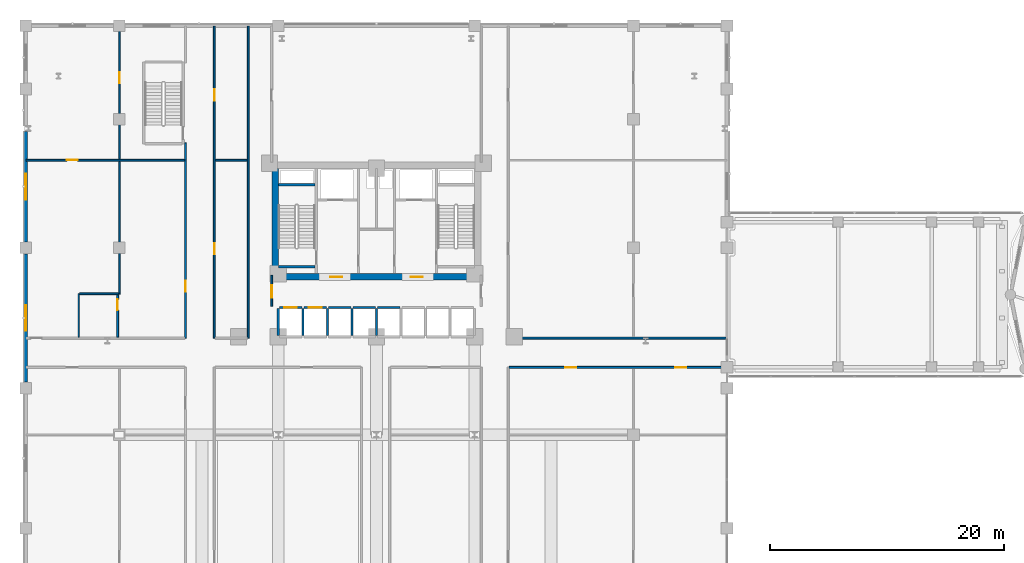
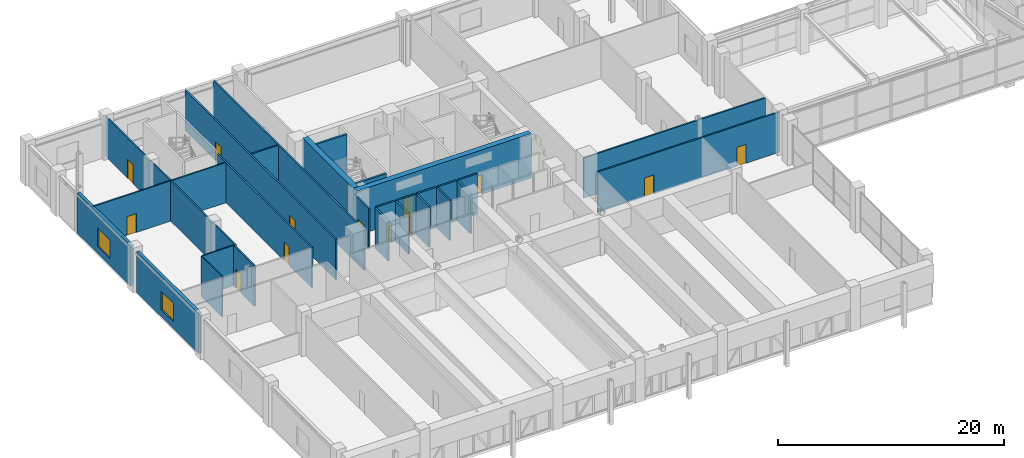
# One storey, part 31 of 44: 28 walls, 13 doors, 2 windows, 15 openings.
"""IFC4 building model written with IfcOpenShell, lengths in metres."""

from ifc_helpers import new_model, si_unit, derived_unit, direction, frame, frame_2d, origin, place, context, subcontext, project, spatial, rectangle, extrude, material, layer, layer_set, type_object, element, fill, save


model = new_model("IFC4")

# Units and contexts
model_context = context("Model", 3, precision=1e-05, world=origin(), true_north=direction((0.0, 1.0)))
body_context = subcontext(model_context, "Body", "Model", "MODEL_VIEW")
ifc_project = project(units=[si_unit("LENGTHUNIT", "METRE"), si_unit("AREAUNIT", "SQUARE_METRE"), si_unit("VOLUMEUNIT", "CUBIC_METRE"), si_unit("PLANEANGLEUNIT", "RADIAN"), si_unit("MASSUNIT", "GRAM", prefix="KILO"), derived_unit("THERMALTRANSMITTANCEUNIT", [(si_unit("POWERUNIT", "WATT"), 1), (si_unit("LENGTHUNIT", "METRE"), -2), (si_unit("THERMODYNAMICTEMPERATUREUNIT", "KELVIN"), -1)])], contexts=[model_context])

# Site, building, storey
site_placement = place(None, origin())
site = spatial("IfcSite", under=ifc_project, at=site_placement, CompositionType="ELEMENT")
building_placement = place(site_placement, origin())
building = spatial("IfcBuilding", under=site, at=building_placement, Name="Korsvarv Bourse and Concert Hall", CompositionType="ELEMENT")
storey_placement = place(building_placement, frame((0.0, 0.0, 9.60009765625)))
storey = spatial("IfcBuildingStorey", under=building, at=storey_placement, Name="L02", CompositionType="ELEMENT", Elevation=9.60009765625)

# Walls
ifc_material_1 = material(Name="Concrete C50/60", Category="concrete")
ifc_layer_1 = layer(ifc_material_1, 0.3798828125)
ifc_layer_set_1 = layer_set([ifc_layer_1], Name="Concrete C50/60")
wall_type_1 = type_object("IfcWallType", Name="WL-CORE-380", PredefinedType="SHEAR", material=ifc_layer_set_1)
for number, where, z_axis, x_axis, name in (
    (1, (27.610107421875, 45.39990234375, 0.0), (0.0, 0.0, 1.0), (1.0, 0.0, 0.0), "L02 stair shaft structural wall W-L02-ST1-N"),
    (2, (27.610107421875, 38.39990234375, 0.0), (0.0, 0.0, 1.0), (1.0, 0.0, 0.0), "L02 stair shaft structural wall W-L02-ST1-S"),
):
    element("IfcWall", number, at=place(storey_placement, frame(where, z_axis=z_axis, x_axis=x_axis)), inside=storey, type_object=wall_type_1, Name=name, PredefinedType="SHEAR", context=body_context, shape_type="SweptSolid", body=[
        extrude(rectangle(XDim=3.139892578125, YDim=0.199951171875, at=frame_2d((1.56982421875, 0.0))), origin(), (0.0, 0.0, 1.0), 4.7998046875),
    ])

# Wall, openings, doors
ifc_material_2 = material(Name="Concrete C60/75", Category="concrete")
ifc_layer_2 = layer(ifc_material_2, 0.550048828125)
ifc_layer_set_2 = layer_set([ifc_layer_2], Name="Concrete C60/75")
wall_type_2 = type_object("IfcWallType", Name="WL-CORE-550", PredefinedType="SHEAR", material=ifc_layer_set_2)
wall_1_placement = place(storey_placement, frame((27.050048828125, 37.52490234375, 0.0), z_axis=(0.0, 0.0, 1.0), x_axis=(1.0, 0.0, 0.0)))
wall_1 = element("IfcWall", 3, at=wall_1_placement, inside=storey, type_object=wall_type_2, Name="L02 South Core Shear Wall", PredefinedType="SHEAR", context=body_context, shape_type="SweptSolid", body=[
    extrude(rectangle(XDim=17.89990234375, YDim=0.550048828125, at=frame_2d((8.949951171875, 0.0))), origin(), (0.0, 0.0, 1.0), 4.7998046875),
])
opening_1_placement = place(wall_1_placement, frame((4.97509765625, 0.0, 0.0)))
opening_1 = element("IfcOpeningElement", 4, at=opening_1_placement, cuts=wall_1, Name="Opening D-01", PredefinedType="OPENING", context=body_context, shape_type="SweptSolid", body=[
    extrude(rectangle(XDim=1.050048828125, YDim=2.10009765625, at=frame_2d((0.52490234375, 1.050048828125))), frame((0.0, 0.28515625, 0.0), z_axis=(0.0, -1.0, 0.0), x_axis=(1.0, 0.0, 0.0)), (0.0, 0.0, 1.0), 0.570068359375),
])
opening_2_placement = place(wall_1_placement, frame((11.875, 0.0, 0.0)))
opening_2 = element("IfcOpeningElement", 5, at=opening_2_placement, cuts=wall_1, Name="Opening D-01", PredefinedType="OPENING", context=body_context, shape_type="SweptSolid", body=[
    extrude(rectangle(XDim=1.050048828125, YDim=2.10009765625, at=frame_2d((0.52490234375, 1.050048828125))), frame((0.0, 0.28515625, 0.0), z_axis=(0.0, -1.0, 0.0), x_axis=(1.0, 0.0, 0.0)), (0.0, 0.0, 1.0), 0.570068359375),
])
ifc_material_3 = material(Name="Steel S355 fire door", Category="steel")
door_type_1 = type_object("IfcDoorType", Name="DR-FD60", OperationType="NOTDEFINED", PredefinedType="DOOR", material=ifc_material_3)
door_1_placement = place(opening_1_placement, frame((1.050048828125, 0.0, 0.0), z_axis=(0.0, 0.0, 1.0), x_axis=(-1.0, 0.0, 0.0)))
door_1 = element("IfcDoor", 6, at=door_1_placement, inside=storey, type_object=door_type_1, Name="L02 firefighting lobby fire door DR-L02-FFLW", OperationType="SINGLE_SWING_LEFT", OverallHeight=2.10009765625, OverallWidth=1.050048828125, PredefinedType="DOOR", context=body_context, shape_type="SweptSolid", body=[
    extrude(rectangle(XDim=1.050048828125, YDim=2.10009765625, at=frame_2d((0.52490234375, 1.050048828125))), frame((0.0, 0.02490234375, 0.0), z_axis=(0.0, -1.0, 0.0), x_axis=(1.0, 0.0, 0.0)), (0.0, 0.0, 1.0), 0.050048828125),
])
fill(opening_1, door_1)
door_2_placement = place(opening_2_placement, frame((1.050048828125, 0.0, 0.0), z_axis=(0.0, 0.0, 1.0), x_axis=(-1.0, 0.0, 0.0)))
door_2 = element("IfcDoor", 7, at=door_2_placement, inside=storey, type_object=door_type_1, Name="L02 firefighting lobby fire door DR-L02-FFLE", OperationType="SINGLE_SWING_RIGHT", OverallHeight=2.10009765625, OverallWidth=1.050048828125, PredefinedType="DOOR", context=body_context, shape_type="SweptSolid", body=[
    extrude(rectangle(XDim=1.050048828125, YDim=2.10009765625, at=frame_2d((0.52490234375, 1.050048828125))), frame((0.0, 0.02490234375, 0.0), z_axis=(0.0, -1.0, 0.0), x_axis=(1.0, 0.0, 0.0)), (0.0, 0.0, 1.0), 0.050048828125),
])
fill(opening_2, door_2)

# Wall
wall_2_placement = place(storey_placement, frame((27.324951171875, 37.800048828125, 0.0), z_axis=(0.0, 0.0, 1.0), x_axis=(0.0, 1.0, 0.0)))
element("IfcWall", 8, at=wall_2_placement, inside=storey, type_object=wall_type_2, Name="L02 West Core Shear Wall", PredefinedType="SHEAR", context=body_context, shape_type="SweptSolid", body=[
    extrude(rectangle(XDim=9.0, YDim=0.550048828125, at=frame_2d((4.5, 0.0))), origin(), (0.0, 0.0, 1.0), 4.7998046875),
])

# Wall, opening, window
ifc_material_4 = material(Name="Precast concrete C45/55 with granite and terracotta", Category="concrete")
ifc_layer_3 = layer(ifc_material_4, 0.320068359375)
ifc_layer_set_3 = layer_set([ifc_layer_3], Name="Precast concrete C45/55 with granite and terracotta")
wall_type_3 = type_object("IfcWallType", Name="WL-EXT-POD", PredefinedType="SOLIDWALL", material=ifc_layer_set_3)
wall_3_placement = place(storey_placement, frame((6.0, 28.5048828125, 0.0), z_axis=(0.0, 0.0, 1.0), x_axis=(0.0, 1.0, 0.0)))
wall_3 = element("IfcWall", 9, at=wall_3_placement, inside=storey, type_object=wall_type_3, Name="L02 terracotta exterior wall EW-L02-W3", PredefinedType="SOLIDWALL", context=body_context, shape_type="SweptSolid", body=[
    extrude(rectangle(XDim=10.990234375, YDim=0.320068359375, at=frame_2d((5.4951171875, 0.0))), origin(), (0.0, 0.0, 1.0), 4.349853515625),
])
opening_3_placement = place(wall_3_placement, frame((4.39501953125, 0.0, 0.75)))
opening_3 = element("IfcOpeningElement", 10, at=opening_3_placement, cuts=wall_3, Name="Opening W-03", PredefinedType="OPENING", context=body_context, shape_type="SweptSolid", body=[
    extrude(rectangle(XDim=2.199951171875, YDim=2.0, at=frame_2d((1.10009765625, 1.0))), frame((0.0, 0.169921875, 0.0), z_axis=(0.0, -1.0, 0.0), x_axis=(1.0, 0.0, 0.0)), (0.0, 0.0, 1.0), 0.340087890625),
])
ifc_material_5 = material(Name="Thermally broken aluminium frame with triple low-E glass", Category="glass")
window_type = type_object("IfcWindowType", Name="WIN-POD1", PartitioningType="SINGLE_PANEL", PredefinedType="WINDOW", material=ifc_material_5)
window_1_placement = place(opening_3_placement, origin())
window_1 = element("IfcWindow", 11, at=window_1_placement, inside=storey, type_object=window_type, Name="L02 punched facade window W-03", OverallHeight=2.0, OverallWidth=2.199951171875, PartitioningType="SINGLE_PANEL", PredefinedType="WINDOW", context=body_context, shape_type="SweptSolid", body=[
    extrude(rectangle(XDim=2.199951171875, YDim=2.0, at=frame_2d((1.10009765625, 1.0))), frame((0.0, 0.030029296875, 0.0), z_axis=(0.0, -1.0, 0.0), x_axis=(1.0, 0.0, 0.0)), (0.0, 0.0, 1.0), 0.06005859375),
])
fill(opening_3, window_1)

wall_4_placement = place(storey_placement, frame((6.0, 40.5048828125, 0.0), z_axis=(0.0, 0.0, 1.0), x_axis=(0.0, 1.0, 0.0)))
wall_4 = element("IfcWall", 12, at=wall_4_placement, inside=storey, type_object=wall_type_3, Name="L02 terracotta exterior wall EW-L02-W4-1", PredefinedType="SOLIDWALL", context=body_context, shape_type="SweptSolid", body=[
    extrude(rectangle(XDim=9.47021484375, YDim=0.320068359375, at=frame_2d((4.735107421875, 0.0))), origin(), (0.0, 0.0, 1.0), 4.349853515625),
])
opening_4_placement = place(wall_4_placement, frame((3.635009765625, 0.0, 0.75)))
opening_4 = element("IfcOpeningElement", 13, at=opening_4_placement, cuts=wall_4, Name="Opening W-03", PredefinedType="OPENING", context=body_context, shape_type="SweptSolid", body=[
    extrude(rectangle(XDim=2.199951171875, YDim=2.0, at=frame_2d((1.10009765625, 1.0))), frame((0.0, 0.169921875, 0.0), z_axis=(0.0, -1.0, 0.0), x_axis=(1.0, 0.0, 0.0)), (0.0, 0.0, 1.0), 0.340087890625),
])
window_2_placement = place(opening_4_placement, origin())
window_2 = element("IfcWindow", 14, at=window_2_placement, inside=storey, type_object=window_type, Name="L02 punched facade window W-03", OverallHeight=2.0, OverallWidth=2.199951171875, PartitioningType="SINGLE_PANEL", PredefinedType="WINDOW", context=body_context, shape_type="SweptSolid", body=[
    extrude(rectangle(XDim=2.199951171875, YDim=2.0, at=frame_2d((1.10009765625, 1.0))), frame((0.0, 0.030029296875, 0.0), z_axis=(0.0, -1.0, 0.0), x_axis=(1.0, 0.0, 0.0)), (0.0, 0.0, 1.0), 0.06005859375),
])
fill(opening_4, window_2)

# Wall, opening, door
ifc_material_6 = material(Name="Double-stud fire-rated acoustic partition", Category="gypsum")
ifc_layer_4 = layer(ifc_material_6, 0.159912109375)
ifc_layer_set_4 = layer_set([ifc_layer_4], Name="Double-stud fire-rated acoustic partition")
wall_type_4 = type_object("IfcWallType", Name="WL-INT-EI60", PredefinedType="PARTITIONING", material=ifc_layer_set_4)
wall_5_placement = place(storey_placement, frame((27.0400390625, 35.0, 0.0), z_axis=(0.0, 0.0, 1.0), x_axis=(0.0, 1.0, 0.0)))
wall_5 = element("IfcWall", 15, at=wall_5_placement, inside=storey, type_object=wall_type_4, Name="L02 interior partition wall W-L02-LOB-W", PredefinedType="PARTITIONING", context=body_context, shape_type="SweptSolid", body=[
    extrude(rectangle(XDim=2.64990234375, YDim=0.159912109375, at=frame_2d((1.324951171875, 0.0))), origin(), (0.0, 0.0, 1.0), 4.349853515625),
])
opening_5_placement = place(wall_5_placement, frame((0.75, 0.0, 0.0)))
opening_5 = element("IfcOpeningElement", 16, at=opening_5_placement, cuts=wall_5, Name="Opening D-01", PredefinedType="OPENING", context=body_context, shape_type="SweptSolid", body=[
    extrude(rectangle(XDim=1.050048828125, YDim=2.10009765625, at=frame_2d((0.52490234375, 1.050048828125))), frame((0.0, 0.08984375, 0.0), z_axis=(0.0, -1.0, 0.0), x_axis=(1.0, 0.0, 0.0)), (0.0, 0.0, 1.0), 0.179931640625),
])
door_3_placement = place(opening_5_placement, frame((1.050048828125, 0.0, 0.0), z_axis=(0.0, 0.0, 1.0), x_axis=(-1.0, 0.0, 0.0)))
door_3 = element("IfcDoor", 17, at=door_3_placement, inside=storey, type_object=door_type_1, Name="L02 interior door DR-L02-LOBW", OperationType="SINGLE_SWING_LEFT", OverallHeight=2.10009765625, OverallWidth=1.050048828125, PredefinedType="DOOR", context=body_context, shape_type="SweptSolid", body=[
    extrude(rectangle(XDim=1.050048828125, YDim=2.10009765625, at=frame_2d((0.52490234375, 1.050048828125))), frame((0.0, 0.02490234375, 0.0), z_axis=(0.0, -1.0, 0.0), x_axis=(1.0, 0.0, 0.0)), (0.0, 0.0, 1.0), 0.050048828125),
])
fill(opening_5, door_3)

# Wall, openings, doors
wall_6_placement = place(storey_placement, frame((22.125, 32.27001953125, 0.0), z_axis=(0.0, 0.0, 1.0), x_axis=(0.0, 1.0, 0.0)))
wall_6 = element("IfcWall", 18, at=wall_6_placement, inside=storey, type_object=wall_type_4, Name="L02 interior partition wall W-L02-PCOR-08", PredefinedType="PARTITIONING", context=body_context, shape_type="SweptSolid", body=[
    extrude(rectangle(XDim=26.7099609375, YDim=0.159912109375, at=frame_2d((13.35498046875, 0.0))), origin(), (0.0, 0.0, 1.0), 4.349853515625),
])
opening_6_placement = place(wall_6_placement, frame((7.195068359375, 0.0, 0.0)))
opening_6 = element("IfcOpeningElement", 19, at=opening_6_placement, cuts=wall_6, Name="Opening D-02", PredefinedType="OPENING", context=body_context, shape_type="SweptSolid", body=[
    extrude(rectangle(XDim=0.949951171875, YDim=2.050048828125, at=frame_2d((0.47509765625, 1.02490234375))), frame((0.0, 0.08984375, 0.0), z_axis=(0.0, -1.0, 0.0), x_axis=(1.0, 0.0, 0.0)), (0.0, 0.0, 1.0), 0.179931640625),
])
opening_7_placement = place(wall_6_placement, frame((20.33349609375, 0.0, 0.0)))
opening_7 = element("IfcOpeningElement", 20, at=opening_7_placement, cuts=wall_6, Name="Opening D-02", PredefinedType="OPENING", context=body_context, shape_type="SweptSolid", body=[
    extrude(rectangle(XDim=0.949951171875, YDim=2.050048828125, at=frame_2d((0.47509765625, 1.02490234375))), frame((0.0, 0.08984375, 0.0), z_axis=(0.0, -1.0, 0.0), x_axis=(1.0, 0.0, 0.0)), (0.0, 0.0, 1.0), 0.179931640625),
])
ifc_material_7 = material(Name="Timber and steel acoustic fire door", Category="wood")
door_type_2 = type_object("IfcDoorType", Name="DR-FD30", OperationType="NOTDEFINED", PredefinedType="DOOR", material=ifc_material_7)
door_4_placement = place(opening_6_placement, origin())
door_4 = element("IfcDoor", 21, at=door_4_placement, inside=storey, type_object=door_type_2, Name="L02 interior door DR-L02-PCOR-RM1414", OperationType="SINGLE_SWING_RIGHT", OverallHeight=2.050048828125, OverallWidth=0.949951171875, PredefinedType="DOOR", context=body_context, shape_type="SweptSolid", body=[
    extrude(rectangle(XDim=0.949951171875, YDim=2.050048828125, at=frame_2d((0.47509765625, 1.02490234375))), frame((0.0, 0.02490234375, 0.0), z_axis=(0.0, -1.0, 0.0), x_axis=(1.0, 0.0, 0.0)), (0.0, 0.0, 1.0), 0.050048828125),
])
fill(opening_6, door_4)
door_5_placement = place(opening_7_placement, origin())
door_5 = element("IfcDoor", 22, at=door_5_placement, inside=storey, type_object=door_type_2, Name="L02 interior door DR-L02-PCOR-RM1515", OperationType="SINGLE_SWING_LEFT", OverallHeight=2.050048828125, OverallWidth=0.949951171875, PredefinedType="DOOR", context=body_context, shape_type="SweptSolid", body=[
    extrude(rectangle(XDim=0.949951171875, YDim=2.050048828125, at=frame_2d((0.47509765625, 1.02490234375))), frame((0.0, 0.02490234375, 0.0), z_axis=(0.0, -1.0, 0.0), x_axis=(1.0, 0.0, 0.0)), (0.0, 0.0, 1.0), 0.050048828125),
])
fill(opening_7, door_5)

# Wall
wall_7_placement = place(storey_placement, frame((25.02490234375, 32.27001953125, 0.0), z_axis=(0.0, 0.0, 1.0), x_axis=(0.0, 1.0, 0.0)))
element("IfcWall", 23, at=wall_7_placement, inside=storey, type_object=wall_type_4, Name="L02 interior partition wall W-L02-PCOR-09", PredefinedType="PARTITIONING", context=body_context, shape_type="SweptSolid", body=[
    extrude(rectangle(XDim=26.7099609375, YDim=0.159912109375, at=frame_2d((13.35498046875, 0.0))), origin(), (0.0, 0.0, 1.0), 4.349853515625),
])

# Wall, openings, doors
wall_8_placement = place(storey_placement, frame((47.35693359375, 29.77490234375, 0.0), z_axis=(0.0, 0.0, 1.0), x_axis=(1.0, 0.0, 0.0)))
wall_8 = element("IfcWall", 24, at=wall_8_placement, inside=storey, type_object=wall_type_4, Name="L02 interior partition wall W-L02-PCOR-10", PredefinedType="PARTITIONING", context=body_context, shape_type="SweptSolid", body=[
    extrude(rectangle(XDim=18.623046875, YDim=0.159912109375, at=frame_2d((9.3115234375, 0.0))), origin(), (0.0, 0.0, 1.0), 4.349853515625),
])
opening_8_placement = place(wall_8_placement, frame((4.794921875, 0.0, 0.0)))
opening_8 = element("IfcOpeningElement", 25, at=opening_8_placement, cuts=wall_8, Name="Opening D-02", PredefinedType="OPENING", context=body_context, shape_type="SweptSolid", body=[
    extrude(rectangle(XDim=0.949951171875, YDim=2.050048828125, at=frame_2d((0.47509765625, 1.02490234375))), frame((0.0, 0.08984375, 0.0), z_axis=(0.0, -1.0, 0.0), x_axis=(1.0, 0.0, 0.0)), (0.0, 0.0, 1.0), 0.179931640625),
])
opening_9_placement = place(wall_8_placement, frame((14.207763671875, 0.0, 0.0)))
opening_9 = element("IfcOpeningElement", 26, at=opening_9_placement, cuts=wall_8, Name="Opening D-02", PredefinedType="OPENING", context=body_context, shape_type="SweptSolid", body=[
    extrude(rectangle(XDim=0.949951171875, YDim=2.050048828125, at=frame_2d((0.47509765625, 1.02490234375))), frame((0.0, 0.08984375, 0.0), z_axis=(0.0, -1.0, 0.0), x_axis=(1.0, 0.0, 0.0)), (0.0, 0.0, 1.0), 0.179931640625),
])
door_6_placement = place(opening_8_placement, origin())
door_6 = element("IfcDoor", 27, at=door_6_placement, inside=storey, type_object=door_type_2, Name="L02 interior door DR-L02-PCOR-RM33", OperationType="SINGLE_SWING_RIGHT", OverallHeight=2.050048828125, OverallWidth=0.949951171875, PredefinedType="DOOR", context=body_context, shape_type="SweptSolid", body=[
    extrude(rectangle(XDim=0.949951171875, YDim=2.050048828125, at=frame_2d((0.47509765625, 1.02490234375))), frame((0.0, 0.02490234375, 0.0), z_axis=(0.0, -1.0, 0.0), x_axis=(1.0, 0.0, 0.0)), (0.0, 0.0, 1.0), 0.050048828125),
])
fill(opening_8, door_6)
door_7_placement = place(opening_9_placement, origin())
door_7 = element("IfcDoor", 28, at=door_7_placement, inside=storey, type_object=door_type_2, Name="L02 interior door DR-L02-PCOR-RM44", OperationType="SINGLE_SWING_LEFT", OverallHeight=2.050048828125, OverallWidth=0.949951171875, PredefinedType="DOOR", context=body_context, shape_type="SweptSolid", body=[
    extrude(rectangle(XDim=0.949951171875, YDim=2.050048828125, at=frame_2d((0.47509765625, 1.02490234375))), frame((0.0, 0.02490234375, 0.0), z_axis=(0.0, -1.0, 0.0), x_axis=(1.0, 0.0, 0.0)), (0.0, 0.0, 1.0), 0.050048828125),
])
fill(opening_9, door_7)

# Wall
wall_9_placement = place(storey_placement, frame((47.35693359375, 32.27490234375, 0.0), z_axis=(0.0, 0.0, 1.0), x_axis=(1.0, 0.0, 0.0)))
element("IfcWall", 29, at=wall_9_placement, inside=storey, type_object=wall_type_4, Name="L02 interior partition wall W-L02-PCOR-11", PredefinedType="PARTITIONING", context=body_context, shape_type="SweptSolid", body=[
    extrude(rectangle(XDim=18.56103515625, YDim=0.159912109375, at=frame_2d((9.280517578125, 0.0))), origin(), (0.0, 0.0, 1.0), 4.349853515625),
])

# Wall, opening, door
wall_10_placement = place(storey_placement, frame((19.6650390625, 32.27001953125, 0.0), z_axis=(0.0, 0.0, 1.0), x_axis=(0.0, 1.0, 0.0)))
wall_10 = element("IfcWall", 30, at=wall_10_placement, inside=storey, type_object=wall_type_4, Name="L02 interior partition wall W-L02-PCOR-12", PredefinedType="PARTITIONING", context=body_context, shape_type="SweptSolid", body=[
    extrude(rectangle(XDim=16.7099609375, YDim=0.159912109375, at=frame_2d((8.35498046875, 0.0))), origin(), (0.0, 0.0, 1.0), 4.349853515625),
])
opening_10_placement = place(wall_10_placement, frame((3.972412109375, 0.0, 0.0)))
opening_10 = element("IfcOpeningElement", 31, at=opening_10_placement, cuts=wall_10, Name="Opening D-02", PredefinedType="OPENING", context=body_context, shape_type="SweptSolid", body=[
    extrude(rectangle(XDim=0.949951171875, YDim=2.050048828125, at=frame_2d((0.47509765625, 1.02490234375))), frame((0.0, 0.08984375, 0.0), z_axis=(0.0, -1.0, 0.0), x_axis=(1.0, 0.0, 0.0)), (0.0, 0.0, 1.0), 0.179931640625),
])
door_8_placement = place(opening_10_placement, origin())
door_8 = element("IfcDoor", 32, at=door_8_placement, inside=storey, type_object=door_type_2, Name="L02 interior door DR-L02-PCOR-RM2222", OperationType="SINGLE_SWING_RIGHT", OverallHeight=2.050048828125, OverallWidth=0.949951171875, PredefinedType="DOOR", context=body_context, shape_type="SweptSolid", body=[
    extrude(rectangle(XDim=0.949951171875, YDim=2.050048828125, at=frame_2d((0.47509765625, 1.02490234375))), frame((0.0, 0.02490234375, 0.0), z_axis=(0.0, -1.0, 0.0), x_axis=(1.0, 0.0, 0.0)), (0.0, 0.0, 1.0), 0.050048828125),
])
fill(opening_10, door_8)

wall_11_placement = place(storey_placement, frame((13.85009765625, 32.35693359375, 0.0), z_axis=(0.0, 0.0, 1.0), x_axis=(0.0, 1.0, 0.0)))
wall_11 = element("IfcWall", 33, at=wall_11_placement, inside=storey, type_object=wall_type_4, Name="L02 interior partition wall W-L02-PCOR-19", PredefinedType="PARTITIONING", context=body_context, shape_type="SweptSolid", body=[
    extrude(rectangle(XDim=3.64599609375, YDim=0.159912109375, at=frame_2d((1.822998046875, 0.0))), origin(), (0.0, 0.0, 1.0), 4.349853515625),
])
opening_11_placement = place(wall_11_placement, frame((2.31591796875, 0.0, 0.0)))
opening_11 = element("IfcOpeningElement", 34, at=opening_11_placement, cuts=wall_11, Name="Opening D-02", PredefinedType="OPENING", context=body_context, shape_type="SweptSolid", body=[
    extrude(rectangle(XDim=0.949951171875, YDim=2.050048828125, at=frame_2d((0.47509765625, 1.02490234375))), frame((0.0, 0.08984375, 0.0), z_axis=(0.0, -1.0, 0.0), x_axis=(1.0, 0.0, 0.0)), (0.0, 0.0, 1.0), 0.179931640625),
])
door_9_placement = place(opening_11_placement, origin())
door_9 = element("IfcDoor", 35, at=door_9_placement, inside=storey, type_object=door_type_2, Name="L02 interior door DR-L02-PCOR-RWC", OperationType="SINGLE_SWING_RIGHT", OverallHeight=2.050048828125, OverallWidth=0.949951171875, PredefinedType="DOOR", context=body_context, shape_type="SweptSolid", body=[
    extrude(rectangle(XDim=0.949951171875, YDim=2.050048828125, at=frame_2d((0.47509765625, 1.02490234375))), frame((0.0, 0.02490234375, 0.0), z_axis=(0.0, -1.0, 0.0), x_axis=(1.0, 0.0, 0.0)), (0.0, 0.0, 1.0), 0.050048828125),
])
fill(opening_11, door_9)

ifc_material_8 = material(Name="Gypsum-clad autoclaved concrete shaft wall C30/37", Category="concrete")
ifc_layer_5 = layer(ifc_material_8, 0.179931640625)
ifc_layer_set_5 = layer_set([ifc_layer_5], Name="Gypsum-clad autoclaved concrete shaft wall C30/37")
wall_type_5 = type_object("IfcWallType", Name="WL-INT-EI90", PredefinedType="PARTITIONING", material=ifc_layer_set_5)
wall_12_placement = place(storey_placement, frame((27.68994140625, 34.89990234375, 0.0), z_axis=(0.0, 0.0, 1.0), x_axis=(1.0, 0.0, 0.0)))
wall_12 = element("IfcWall", 36, at=wall_12_placement, inside=storey, type_object=wall_type_5, Name="L02 interior partition wall W-L02-SHFN-PL1", PredefinedType="PARTITIONING", context=body_context, shape_type="SweptSolid", body=[
    extrude(rectangle(XDim=1.920166015625, YDim=0.179931640625, at=frame_2d((0.9599609375, 0.0))), origin(), (0.0, 0.0, 1.0), 4.349853515625),
])
opening_12_placement = place(wall_12_placement, frame((0.409912109375, 0.0, 0.0)))
opening_12 = element("IfcOpeningElement", 37, at=opening_12_placement, cuts=wall_12, Name="Opening LD-2", PredefinedType="OPENING", context=body_context, shape_type="SweptSolid", body=[
    extrude(rectangle(XDim=1.10009765625, YDim=2.10009765625, at=frame_2d((0.550048828125, 1.050048828125))), frame((0.0, 0.10009765625, 0.0), z_axis=(0.0, -1.0, 0.0), x_axis=(1.0, 0.0, 0.0)), (0.0, 0.0, 1.0), 0.199951171875),
])
ifc_material_9 = material(Name="Brushed stainless Steel S355 lift landing door", Category="steel")
door_type_3 = type_object("IfcDoorType", Name="DR-LIFT-P", OperationType="DOUBLE_DOOR_SLIDING", PredefinedType="DOOR", material=ifc_material_9)
door_10_placement = place(opening_12_placement, origin())
door_10 = element("IfcDoor", 38, at=door_10_placement, inside=storey, type_object=door_type_3, Name="L02 lift sliding landing door LD-L02-PL1", OperationType="DOUBLE_DOOR_SLIDING", OverallHeight=2.10009765625, OverallWidth=1.10009765625, PredefinedType="DOOR", context=body_context, shape_type="SweptSolid", body=[
    extrude(rectangle(XDim=1.10009765625, YDim=2.10009765625, at=frame_2d((0.550048828125, 1.050048828125))), frame((0.0, 0.02490234375, 0.0), z_axis=(0.0, -1.0, 0.0), x_axis=(1.0, 0.0, 0.0)), (0.0, 0.0, 1.0), 0.050048828125),
])
fill(opening_12, door_10)

# Wall
wall_13_placement = place(storey_placement, frame((27.60009765625, 32.489990234375, 0.0), z_axis=(0.0, 0.0, 1.0), x_axis=(0.0, 1.0, 0.0)))
element("IfcWall", 39, at=wall_13_placement, inside=storey, type_object=wall_type_5, Name="L02 interior partition wall W-L02-SHFW-PL1", PredefinedType="PARTITIONING", context=body_context, shape_type="SweptSolid", body=[
    extrude(rectangle(XDim=2.320068359375, YDim=0.179931640625, at=frame_2d((1.16015625, 0.0))), origin(), (0.0, 0.0, 1.0), 4.349853515625),
])

# Wall, opening, door
wall_14_placement = place(storey_placement, frame((29.7900390625, 34.89990234375, 0.0), z_axis=(0.0, 0.0, 1.0), x_axis=(1.0, 0.0, 0.0)))
wall_14 = element("IfcWall", 40, at=wall_14_placement, inside=storey, type_object=wall_type_5, Name="L02 interior partition wall W-L02-SHFN-PL2", PredefinedType="PARTITIONING", context=body_context, shape_type="SweptSolid", body=[
    extrude(rectangle(XDim=1.919921875, YDim=0.179931640625, at=frame_2d((0.9599609375, 0.0))), origin(), (0.0, 0.0, 1.0), 4.349853515625),
])
opening_13_placement = place(wall_14_placement, frame((0.409912109375, 0.0, 0.0)))
opening_13 = element("IfcOpeningElement", 41, at=opening_13_placement, cuts=wall_14, Name="Opening LD-2", PredefinedType="OPENING", context=body_context, shape_type="SweptSolid", body=[
    extrude(rectangle(XDim=1.10009765625, YDim=2.10009765625, at=frame_2d((0.550048828125, 1.050048828125))), frame((0.0, 0.10009765625, 0.0), z_axis=(0.0, -1.0, 0.0), x_axis=(1.0, 0.0, 0.0)), (0.0, 0.0, 1.0), 0.199951171875),
])
door_11_placement = place(opening_13_placement, origin())
door_11 = element("IfcDoor", 42, at=door_11_placement, inside=storey, type_object=door_type_3, Name="L02 lift sliding landing door LD-L02-PL2", OperationType="DOUBLE_DOOR_SLIDING", OverallHeight=2.10009765625, OverallWidth=1.10009765625, PredefinedType="DOOR", context=body_context, shape_type="SweptSolid", body=[
    extrude(rectangle(XDim=1.10009765625, YDim=2.10009765625, at=frame_2d((0.550048828125, 1.050048828125))), frame((0.0, 0.02490234375, 0.0), z_axis=(0.0, -1.0, 0.0), x_axis=(1.0, 0.0, 0.0)), (0.0, 0.0, 1.0), 0.050048828125),
])
fill(opening_13, door_11)

# Walls
wall_15_placement = place(storey_placement, frame((29.699951171875, 32.489990234375, 0.0), z_axis=(0.0, 0.0, 1.0), x_axis=(0.0, 1.0, 0.0)))
element("IfcWall", 43, at=wall_15_placement, inside=storey, type_object=wall_type_5, Name="L02 interior partition wall W-L02-SHFW-PL2", PredefinedType="PARTITIONING", context=body_context, shape_type="SweptSolid", body=[
    extrude(rectangle(XDim=2.320068359375, YDim=0.179931640625, at=frame_2d((1.16015625, 0.0))), origin(), (0.0, 0.0, 1.0), 4.349853515625),
])
wall_16_placement = place(storey_placement, frame((31.889892578125, 34.89990234375, 0.0), z_axis=(0.0, 0.0, 1.0), x_axis=(1.0, 0.0, 0.0)))
element("IfcWall", 44, at=wall_16_placement, inside=storey, type_object=wall_type_5, Name="L02 interior partition wall W-L02-SHFN-PM1", PredefinedType="PARTITIONING", context=body_context, shape_type="SweptSolid", body=[
    extrude(rectangle(XDim=1.920166015625, YDim=0.179931640625, at=frame_2d((0.9599609375, 0.0))), origin(), (0.0, 0.0, 1.0), 4.349853515625),
])
wall_17_placement = place(storey_placement, frame((31.800048828125, 32.489990234375, 0.0), z_axis=(0.0, 0.0, 1.0), x_axis=(0.0, 1.0, 0.0)))
element("IfcWall", 45, at=wall_17_placement, inside=storey, type_object=wall_type_5, Name="L02 interior partition wall W-L02-SHFW-PM1", PredefinedType="PARTITIONING", context=body_context, shape_type="SweptSolid", body=[
    extrude(rectangle(XDim=2.320068359375, YDim=0.179931640625, at=frame_2d((1.16015625, 0.0))), origin(), (0.0, 0.0, 1.0), 4.349853515625),
])
wall_18_placement = place(storey_placement, frame((33.989990234375, 34.89990234375, 0.0), z_axis=(0.0, 0.0, 1.0), x_axis=(1.0, 0.0, 0.0)))
element("IfcWall", 46, at=wall_18_placement, inside=storey, type_object=wall_type_5, Name="L02 interior partition wall W-L02-SHFN-PM2", PredefinedType="PARTITIONING", context=body_context, shape_type="SweptSolid", body=[
    extrude(rectangle(XDim=1.919921875, YDim=0.179931640625, at=frame_2d((0.9599609375, 0.0))), origin(), (0.0, 0.0, 1.0), 4.349853515625),
])
wall_19_placement = place(storey_placement, frame((33.89990234375, 32.489990234375, 0.0), z_axis=(0.0, 0.0, 1.0), x_axis=(0.0, 1.0, 0.0)))
element("IfcWall", 47, at=wall_19_placement, inside=storey, type_object=wall_type_5, Name="L02 interior partition wall W-L02-SHFW-PM2", PredefinedType="PARTITIONING", context=body_context, shape_type="SweptSolid", body=[
    extrude(rectangle(XDim=2.320068359375, YDim=0.179931640625, at=frame_2d((1.16015625, 0.0))), origin(), (0.0, 0.0, 1.0), 4.349853515625),
])
wall_20_placement = place(storey_placement, frame((36.090087890625, 34.89990234375, 0.0), z_axis=(0.0, 0.0, 1.0), x_axis=(1.0, 0.0, 0.0)))
element("IfcWall", 48, at=wall_20_placement, inside=storey, type_object=wall_type_5, Name="L02 interior partition wall W-L02-SHFN-PH1", PredefinedType="PARTITIONING", context=body_context, shape_type="SweptSolid", body=[
    extrude(rectangle(XDim=1.919921875, YDim=0.179931640625, at=frame_2d((0.9599609375, 0.0))), origin(), (0.0, 0.0, 1.0), 4.349853515625),
])
wall_21_placement = place(storey_placement, frame((36.0, 32.489990234375, 0.0), z_axis=(0.0, 0.0, 1.0), x_axis=(0.0, 1.0, 0.0)))
element("IfcWall", 49, at=wall_21_placement, inside=storey, type_object=wall_type_5, Name="L02 interior partition wall W-L02-SHFW-PH1", PredefinedType="PARTITIONING", context=body_context, shape_type="SweptSolid", body=[
    extrude(rectangle(XDim=2.320068359375, YDim=0.179931640625, at=frame_2d((1.16015625, 0.0))), origin(), (0.0, 0.0, 1.0), 4.349853515625),
])
ifc_material_10 = material(Name="Demountable acoustic glass and aluminium dealing partition", Category="aluminium")
ifc_layer_6 = layer(ifc_material_10, 0.110107421875)
ifc_layer_set_6 = layer_set([ifc_layer_6], Name="Demountable acoustic glass and aluminium dealing partition")
wall_type_6 = type_object("IfcWallType", Name="WL-INT-MOV", PredefinedType="MOVABLE", material=ifc_layer_set_6)
wall_22_placement = place(storey_placement, frame((10.52490234375, 32.35693359375, 0.0), z_axis=(0.0, 0.0, 1.0), x_axis=(0.0, 1.0, 0.0)))
element("IfcWall", 50, at=wall_22_placement, inside=storey, type_object=wall_type_6, Name="L02 interior partition wall W-L02-PCOR-32", PredefinedType="MOVABLE", context=body_context, shape_type="SweptSolid", body=[
    extrude(rectangle(XDim=3.72314453125, YDim=0.110107421875, at=frame_2d((1.861572265625, 0.0))), origin(), (0.0, 0.0, 1.0), 4.349853515625),
])

# Wall, opening, door
ifc_material_11 = material(Name="Insulated steel-stud office acoustic partition", Category="gypsum")
ifc_layer_7 = layer(ifc_material_11, 0.139892578125)
ifc_layer_set_7 = layer_set([ifc_layer_7], Name="Insulated steel-stud office acoustic partition")
wall_type_7 = type_object("IfcWallType", Name="WL-INT-P1", PredefinedType="PARTITIONING", material=ifc_layer_set_7)
wall_23_placement = place(storey_placement, frame((14.0048828125, 36.034912109375, 0.0), z_axis=(0.0, 0.0, 1.0), x_axis=(0.0, 1.0, 0.0)))
wall_23 = element("IfcWall", 51, at=wall_23_placement, inside=storey, type_object=wall_type_7, Name="L02 interior partition wall W-L02-PCOR-25", PredefinedType="PARTITIONING", context=body_context, shape_type="SweptSolid", body=[
    extrude(rectangle(XDim=22.945068359375, YDim=0.139892578125, at=frame_2d((11.47265625, 0.0))), origin(), (0.0, 0.0, 1.0), 4.349853515625),
])
opening_14_placement = place(wall_23_placement, frame((18.05810546875, 0.0, 0.0)))
opening_14 = element("IfcOpeningElement", 52, at=opening_14_placement, cuts=wall_23, Name="Opening D-03", PredefinedType="OPENING", context=body_context, shape_type="SweptSolid", body=[
    extrude(rectangle(XDim=0.949951171875, YDim=2.050048828125, at=frame_2d((0.47509765625, 1.02490234375))), frame((0.0, 0.080078125, 0.0), z_axis=(0.0, -1.0, 0.0), x_axis=(1.0, 0.0, 0.0)), (0.0, 0.0, 1.0), 0.159912109375),
])
ifc_material_12 = material(Name="Nordic oak acoustic office door", Category="wood")
door_type_4 = type_object("IfcDoorType", Name="DR-INT-1", OperationType="NOTDEFINED", PredefinedType="DOOR", material=ifc_material_12)
door_12_placement = place(opening_14_placement, origin())
door_12 = element("IfcDoor", 53, at=door_12_placement, inside=storey, type_object=door_type_4, Name="L02 interior door DR-L02-PCOR-RM2323", OperationType="SINGLE_SWING_LEFT", OverallHeight=2.050048828125, OverallWidth=0.949951171875, PredefinedType="DOOR", context=body_context, shape_type="SweptSolid", body=[
    extrude(rectangle(XDim=0.949951171875, YDim=2.050048828125, at=frame_2d((0.47509765625, 1.02490234375))), frame((0.0, 0.02490234375, 0.0), z_axis=(0.0, -1.0, 0.0), x_axis=(1.0, 0.0, 0.0)), (0.0, 0.0, 1.0), 0.050048828125),
])
fill(opening_14, door_12)

wall_24_placement = place(storey_placement, frame((6.02001953125, 47.5048828125, 0.0), z_axis=(0.0, 0.0, 1.0), x_axis=(1.0, 0.0, 0.0)))
wall_24 = element("IfcWall", 54, at=wall_24_placement, inside=storey, type_object=wall_type_7, Name="L02 interior partition wall W-L02-PCOR-29", PredefinedType="PARTITIONING", context=body_context, shape_type="SweptSolid", body=[
    extrude(rectangle(XDim=13.56298828125, YDim=0.139892578125, at=frame_2d((6.781494140625, 0.0))), origin(), (0.0, 0.0, 1.0), 4.349853515625),
])
opening_15_placement = place(wall_24_placement, frame((3.465087890625, 0.0, 0.0)))
opening_15 = element("IfcOpeningElement", 55, at=opening_15_placement, cuts=wall_24, Name="Opening D-03", PredefinedType="OPENING", context=body_context, shape_type="SweptSolid", body=[
    extrude(rectangle(XDim=0.949951171875, YDim=2.050048828125, at=frame_2d((0.47509765625, 1.02490234375))), frame((0.0, 0.080078125, 0.0), z_axis=(0.0, -1.0, 0.0), x_axis=(1.0, 0.0, 0.0)), (0.0, 0.0, 1.0), 0.159912109375),
])
door_13_placement = place(opening_15_placement, origin())
door_13 = element("IfcDoor", 56, at=door_13_placement, inside=storey, type_object=door_type_4, Name="L02 interior door DR-L02-PCOR-WC21", OperationType="SINGLE_SWING_RIGHT", OverallHeight=2.050048828125, OverallWidth=0.949951171875, PredefinedType="DOOR", context=body_context, shape_type="SweptSolid", body=[
    extrude(rectangle(XDim=0.949951171875, YDim=2.050048828125, at=frame_2d((0.47509765625, 1.02490234375))), frame((0.0, 0.02490234375, 0.0), z_axis=(0.0, -1.0, 0.0), x_axis=(1.0, 0.0, 0.0)), (0.0, 0.0, 1.0), 0.050048828125),
])
fill(opening_15, door_13)

# Walls
wall_25_placement = place(storey_placement, frame((10.596923828125, 36.074951171875, 0.0), z_axis=(0.0, 0.0, 1.0), x_axis=(1.0, 0.0, 0.0)))
element("IfcWall", 57, at=wall_25_placement, inside=storey, type_object=wall_type_7, Name="L02 interior partition wall W-L02-PCOR-33", PredefinedType="PARTITIONING", context=body_context, shape_type="SweptSolid", body=[
    extrude(rectangle(XDim=3.336181640625, YDim=0.139892578125, at=frame_2d((1.66796875, 0.0))), origin(), (0.0, 0.0, 1.0), 4.349853515625),
])
wall_26_placement = place(storey_placement, frame((22.20703125, 47.5048828125, 0.0), z_axis=(0.0, 0.0, 1.0), x_axis=(1.0, 0.0, 0.0)))
element("IfcWall", 58, at=wall_26_placement, inside=storey, type_object=wall_type_7, Name="L02 interior partition wall W-L02-PCOR-34", PredefinedType="PARTITIONING", context=body_context, shape_type="SweptSolid", body=[
    extrude(rectangle(XDim=2.736083984375, YDim=0.139892578125, at=frame_2d((1.3681640625, 0.0))), origin(), (0.0, 0.0, 1.0), 4.349853515625),
])

save(model, "model.ifc")
